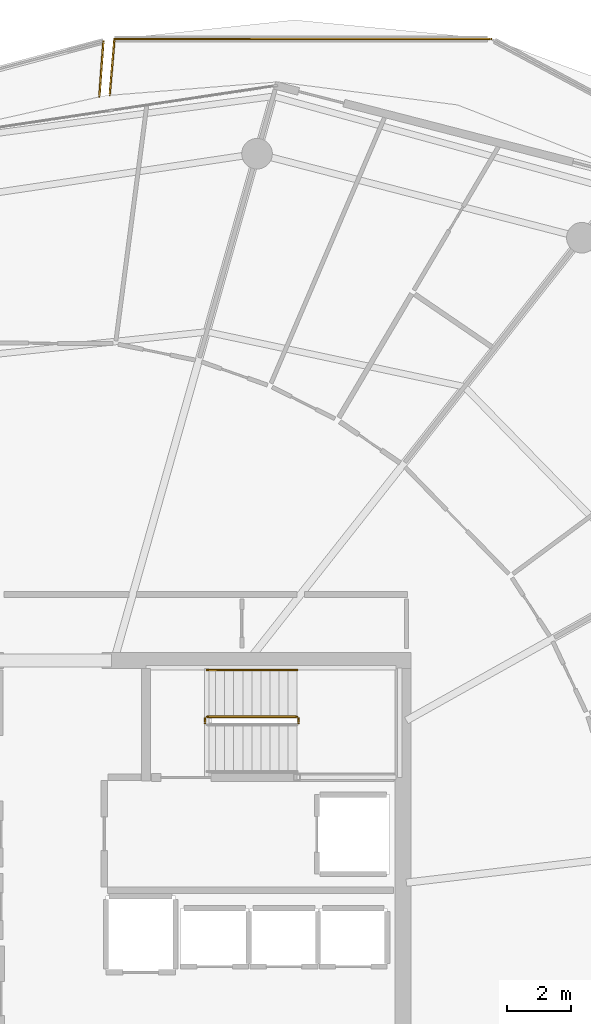
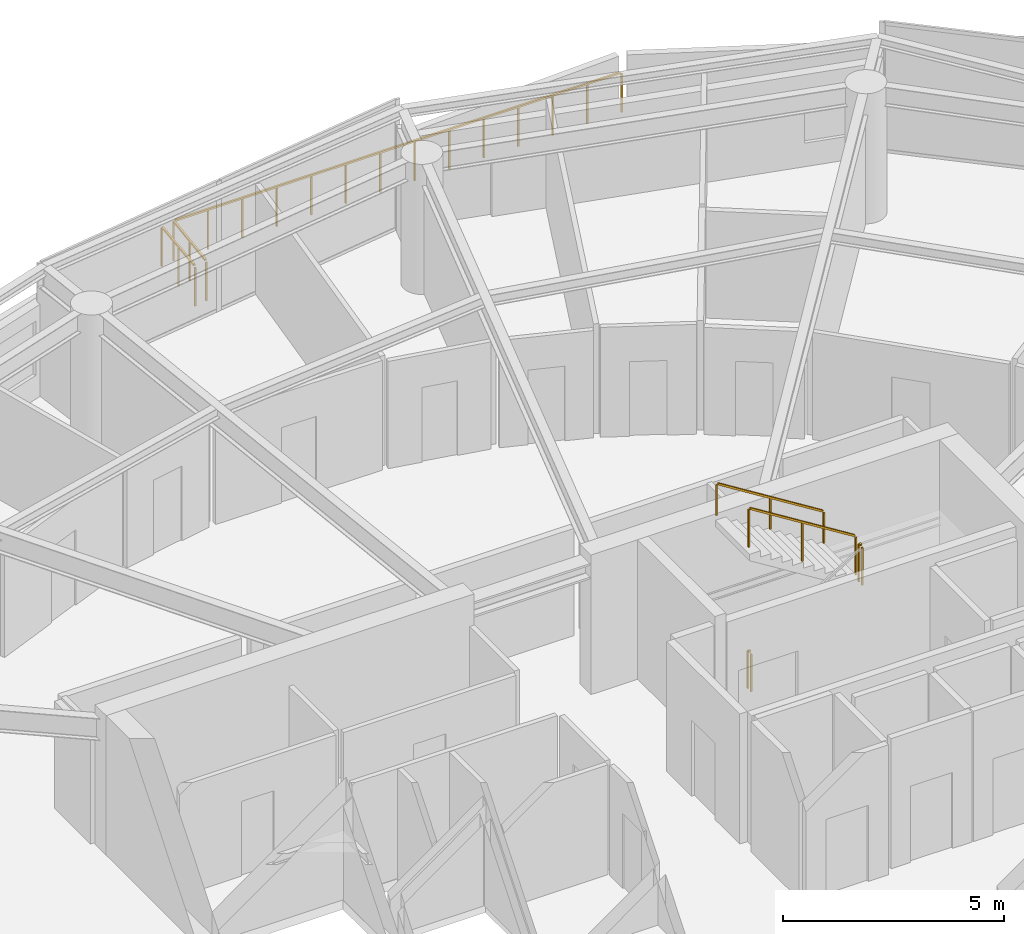
# One storey, part 29 of 30: 7 railings.
"""IFC4 building model written with IfcOpenShell, lengths in metres."""

import ifcopenshell
import ifcopenshell.guid

model = None  # the IFC model being written
_history = None  # IfcOwnerHistory: only IFC2X3 demands one
_inside = {}  # id of a spatial element -> (the spatial element, [elements in it])
_under = {}  # id of a project, library or spatial element -> (it, [spatial elements below it])
_declared = {}  # id of a project -> (the project, [libraries it declares])
_typed = {}  # id of a type object -> (the type object, [elements of that type])
_made_of = {}  # id of a material, layer set ... -> (it, [elements and type objects made of it])


def new_model(schema):
    """Start an empty IFC model of exactly this schema.

    Asked for "IFC4X3", IfcOpenShell would pick the latest addendum, in which some entities
    have other attributes; the version numbers below select the first issue.
    IFC2X3 requires an IfcOwnerHistory on every rooted entity: one is made here for all.
    """
    global model, _history
    if schema == "IFC4X3":
        model = ifcopenshell.file(schema_version=(4, 3, 0, 0))
    else:
        model = ifcopenshell.file(schema=schema)
    _inside.clear()
    _under.clear()
    _declared.clear()
    _typed.clear()
    _made_of.clear()
    _history = None
    if model.schema == "IFC2X3":
        org = make("IfcOrganization", Name="unknown")
        user = make(
            "IfcPersonAndOrganization",
            ThePerson=make("IfcPerson", FamilyName="unknown"),
            TheOrganization=org,
        )
        app = make(
            "IfcApplication",
            ApplicationDeveloper=org,
            Version="unknown",
            ApplicationFullName="unknown",
            ApplicationIdentifier="unknown",
        )
        _history = make(
            "IfcOwnerHistory",
            OwningUser=user,
            OwningApplication=app,
            ChangeAction="ADDED",
            CreationDate=0,
        )
    return model


def make(cls, **values):
    """One entity of the class cls with the attributes given. An attribute that is None is left unset."""
    return model.create_entity(
        cls, **{name: value for name, value in values.items() if value is not None}
    )


def rooted(cls, **values):
    """An entity with a GlobalId (a new one), such as an element, a storey or a relation."""
    return make(cls, GlobalId=ifcopenshell.guid.new(), OwnerHistory=_history, **values)


def si_unit(unit_type, name, prefix=None):
    """IfcSIUnit, for example si_unit("LENGTHUNIT", "METRE", prefix="MILLI")."""
    return make("IfcSIUnit", UnitType=unit_type, Prefix=prefix, Name=name)


def assignment(units):
    """IfcUnitAssignment: the units of a project."""
    return None if units is None else make("IfcUnitAssignment", Units=units)


def point(xyz):
    """IfcCartesianPoint."""
    return None if xyz is None else make("IfcCartesianPoint", Coordinates=xyz)


def direction(xyz):
    """IfcDirection."""
    return None if xyz is None else make("IfcDirection", DirectionRatios=xyz)


def frame(location, z_axis=None, x_axis=None):
    """IfcAxis2Placement3D, a coordinate frame: its origin and axes. An axis left out is left unset."""
    return make(
        "IfcAxis2Placement3D",
        Location=point(location),
        Axis=direction(z_axis),
        RefDirection=direction(x_axis),
    )


def frame_2d(location, x_axis=None):
    """IfcAxis2Placement2D, a coordinate frame in the plane: its origin and x axis."""
    return make(
        "IfcAxis2Placement2D", Location=point(location), RefDirection=direction(x_axis)
    )


def origin():
    """The frame at (0, 0, 0) with its axes left unset."""
    return frame((0.0, 0.0, 0.0))


def origin_2d():
    """The frame at (0, 0) in the plane with its x axis left unset."""
    return frame_2d((0.0, 0.0))


def place(relative_to, where):
    """IfcLocalPlacement: puts the frame where relative to a parent placement (None: the world)."""
    return make(
        "IfcLocalPlacement", PlacementRelTo=relative_to, RelativePlacement=where
    )


def context(
    kind, dimensions, precision=None, world=None, true_north=None, identifier=None
):
    """IfcGeometricRepresentationContext, for example the 3D "Model" context."""
    return make(
        "IfcGeometricRepresentationContext",
        ContextIdentifier=identifier,
        ContextType=kind,
        CoordinateSpaceDimension=dimensions,
        Precision=precision,
        WorldCoordinateSystem=world,
        TrueNorth=true_north,
    )


def subcontext(parent, identifier, kind, view, scale=None):
    """IfcGeometricRepresentationSubContext, for example "Body" below "Model"."""
    return make(
        "IfcGeometricRepresentationSubContext",
        ContextIdentifier=identifier,
        ContextType=kind,
        ParentContext=parent,
        TargetScale=scale,
        TargetView=view,
    )


def project(units=None, contexts=None):
    """IfcProject with its units and contexts."""
    return rooted(
        "IfcProject",
        Name="project",
        RepresentationContexts=contexts,
        UnitsInContext=assignment(units),
    )


def spatial(cls, under=None, at=None, **own):
    """A site, building, storey or space (cls), placed at a placement, below another one or the project."""
    s = rooted(cls, ObjectPlacement=at, **own)
    if under is not None:
        _under.setdefault(under.id(), (under, []))[1].append(s)
    return s


def profile(cls, at=None, kind="AREA", **sizes):
    """A parametric profile (cls). Its sizes go by their IFC names, for example OverallWidth=200.0."""
    return make(cls, ProfileType=kind, Position=at, **sizes)


def rectangle(**sizes):
    """IfcRectangleProfileDef."""
    return profile("IfcRectangleProfileDef", **sizes)


def extrude(swept, where, along, depth):
    """IfcExtrudedAreaSolid: the profile swept, set in the frame where, extruded along a direction by depth."""
    return make(
        "IfcExtrudedAreaSolid",
        SweptArea=swept,
        Position=where,
        ExtrudedDirection=direction(along),
        Depth=depth,
    )


def shape(context_of_items, identifier, shape_type, items):
    """IfcShapeRepresentation: the items that make up one representation, for example the "Body"."""
    return make(
        "IfcShapeRepresentation",
        ContextOfItems=context_of_items,
        RepresentationIdentifier=identifier,
        RepresentationType=shape_type,
        Items=items,
    )


def material(Name=None, Category=None):
    """IfcMaterial."""
    return make("IfcMaterial", Name=Name, Category=Category)


def made_of(thing, what):
    """Note that an element or type object is made of a material, layer set ...; save() writes the relation."""
    if what is not None:
        _made_of.setdefault(what.id(), (what, []))[1].append(thing)
    return thing


def type_object(cls, material=None, **own):
    """A type object (cls), such as IfcWallType, which elements share."""
    return made_of(rooted(cls, **own), material)


def element(
    cls,
    number,
    at=None,
    inside=None,
    cuts=None,
    type_object=None,
    material=None,
    context=None,
    identifier="Body",
    shape_type=None,
    held_by="IfcProductDefinitionShape",
    body=None,
    shapes=None,
    **own,
):
    """One element of the class cls, such as IfcWall. Its Tag is "e" and its number.

    at: its placement. inside: the storey or other place that contains it. cuts: it is an
    opening in that element (IfcRelVoidsElement). A single representation is given by context,
    identifier, shape_type and body (its items); several are given by shapes. held_by: the class
    of the entity that holds the representations. save() writes the other relations.
    """
    e = rooted(cls, Tag="e%d" % number, ObjectPlacement=at, **own)
    if body is not None:
        shapes = [shape(context, identifier, shape_type, body)]
    if shapes is not None:
        e.Representation = make(held_by, Representations=shapes)
    if inside is not None:
        _inside.setdefault(inside.id(), (inside, []))[1].append(e)
    if cuts is not None:
        rooted(
            "IfcRelVoidsElement", RelatingBuildingElement=cuts, RelatedOpeningElement=e
        )
    if type_object is not None:
        _typed.setdefault(type_object.id(), (type_object, []))[1].append(e)
    return made_of(e, material)


def aggregate(whole, parts):
    """IfcRelAggregates: a whole, such as a stair, and the parts it consists of."""
    return rooted("IfcRelAggregates", RelatingObject=whole, RelatedObjects=parts)


def save(model, path):
    """Write the relations noted so far, then the file.

    IfcRelAggregates (storeys below a building ...), IfcRelContainedInSpatialStructure (elements
    in a storey), IfcRelDefinesByType, IfcRelAssociatesMaterial and IfcRelDeclares: one each for
    every whole, place, type object, material and project.
    """
    for whole, parts in _under.values():
        aggregate(whole, parts)
    for where, things in _inside.values():
        rooted(
            "IfcRelContainedInSpatialStructure",
            RelatedElements=things,
            RelatingStructure=where,
        )
    for kind, things in _typed.values():
        rooted("IfcRelDefinesByType", RelatedObjects=things, RelatingType=kind)
    for what, things in _made_of.values():
        rooted("IfcRelAssociatesMaterial", RelatedObjects=things, RelatingMaterial=what)
    for by, libraries in _declared.values():
        rooted("IfcRelDeclares", RelatingContext=by, RelatedDefinitions=libraries)
    model.write(path)


model = new_model("IFC4")

# Units and contexts
model_context = context("Model", 3, precision=1e-05, world=origin(), true_north=direction((0.0, 1.0)))
body_context = subcontext(model_context, "Body", "Model", "MODEL_VIEW")
ifc_project = project(units=[si_unit("LENGTHUNIT", "METRE"), si_unit("AREAUNIT", "SQUARE_METRE"), si_unit("VOLUMEUNIT", "CUBIC_METRE"), si_unit("PLANEANGLEUNIT", "RADIAN"), si_unit("MASSUNIT", "GRAM", prefix="KILO")], contexts=[model_context])

# Site, building, storey
site_placement = place(None, origin())
site = spatial("IfcSite", under=ifc_project, at=site_placement, CompositionType="ELEMENT")
building_placement = place(site_placement, origin())
building = spatial("IfcBuilding", under=site, at=building_placement, Name="Kazma Halo Residences", CompositionType="ELEMENT")
storey_placement = place(building_placement, frame((0.0, 0.0, 294.449951171875)))
storey = spatial("IfcBuildingStorey", under=building, at=storey_placement, Name="L74", CompositionType="ELEMENT", Elevation=294.449951171875)

# Railings
ifc_material_1 = material(Name="Aluminium AW-6063 T6 Brushed Cap Rail", Category="aluminium")
railing_type_1 = type_object("IfcRailingType", Name="RLG-BAL-CAP-1120", PredefinedType="BALUSTRADE", material=ifc_material_1)
railing_1_placement = place(storey_placement, frame((62.033447265625, 69.5419921875, 0.0)))
element("IfcRailing", 1, at=railing_1_placement, inside=storey, type_object=railing_type_1, Name="L74 NE wave balcony guard 3", PredefinedType="BALUSTRADE", context=body_context, shape_type="SweptSolid", body=[
    extrude(rectangle(XDim=0.050048828125, YDim=0.050048828125, at=origin_2d()), frame((-0.04248046875, 0.0, 1.09521484375), z_axis=(-0.999999921363, -0.000396576884, 0.0), x_axis=(0.000396576884, -0.999999921363, 0.0)), (0.0, 0.0, 1.0), 11.61181640625),
    extrude(rectangle(XDim=0.0400390625, YDim=0.0400390625, at=origin_2d()), origin(), (0.0, 0.0, 1.0), 1.05810546875),
    extrude(rectangle(XDim=0.0400390625, YDim=0.0400390625, at=origin_2d()), frame((-0.899658203125, -0.000244140625, 0.0)), (0.0, 0.0, 1.0), 1.05810546875),
    extrude(rectangle(XDim=0.0400390625, YDim=0.0400390625, at=origin_2d()), frame((-1.799560546875, -0.000732421875, 0.0)), (0.0, 0.0, 1.0), 1.05810546875),
    extrude(rectangle(XDim=0.0400390625, YDim=0.0400390625, at=origin_2d()), frame((-2.69921875, -0.0009765625, 0.0)), (0.0, 0.0, 1.0), 1.05810546875),
    extrude(rectangle(XDim=0.0400390625, YDim=0.0400390625, at=origin_2d()), frame((-3.59912109375, -0.00146484375, 0.0)), (0.0, 0.0, 1.0), 1.05810546875),
    extrude(rectangle(XDim=0.0400390625, YDim=0.0400390625, at=origin_2d()), frame((-4.498779296875, -0.001708984375, 0.0)), (0.0, 0.0, 1.0), 1.05810546875),
    extrude(rectangle(XDim=0.0400390625, YDim=0.0400390625, at=origin_2d()), frame((-5.3984375, -0.002197265625, 0.0)), (0.0, 0.0, 1.0), 1.05810546875),
    extrude(rectangle(XDim=0.0400390625, YDim=0.0400390625, at=origin_2d()), frame((-6.29833984375, -0.00244140625, 0.0)), (0.0, 0.0, 1.0), 1.05810546875),
    extrude(rectangle(XDim=0.0400390625, YDim=0.0400390625, at=origin_2d()), frame((-7.197998046875, -0.0029296875, 0.0)), (0.0, 0.0, 1.0), 1.05810546875),
    extrude(rectangle(XDim=0.0400390625, YDim=0.0400390625, at=origin_2d()), frame((-8.09765625, -0.003173828125, 0.0)), (0.0, 0.0, 1.0), 1.05810546875),
    extrude(rectangle(XDim=0.0400390625, YDim=0.0400390625, at=origin_2d()), frame((-8.99755859375, -0.003662109375, 0.0)), (0.0, 0.0, 1.0), 1.05810546875),
    extrude(rectangle(XDim=0.0400390625, YDim=0.0400390625, at=origin_2d()), frame((-9.897216796875, -0.00390625, 0.0)), (0.0, 0.0, 1.0), 1.05810546875),
    extrude(rectangle(XDim=0.0400390625, YDim=0.0400390625, at=origin_2d()), frame((-10.797119140625, -0.00439453125, 0.0)), (0.0, 0.0, 1.0), 1.05810546875),
    extrude(rectangle(XDim=0.0400390625, YDim=0.0400390625, at=origin_2d()), frame((-11.69677734375, -0.004638671875, 0.0)), (0.0, 0.0, 1.0), 1.05810546875),
])
railing_2_placement = place(storey_placement, frame((50.336669921875, 69.537353515625, 0.0)))
element("IfcRailing", 2, at=railing_2_placement, inside=storey, type_object=railing_type_1, Name="L74 NE wave balcony guard 4", PredefinedType="BALUSTRADE", context=body_context, shape_type="SweptSolid", body=[
    extrude(rectangle(XDim=0.050048828125, YDim=0.050048828125, at=origin_2d()), frame((-0.003662109375, -0.04248046875, 1.09521484375), z_axis=(-0.084569892868, -0.996417549635, 0.0), x_axis=(0.996417549635, -0.084569892868, 0.0)), (0.0, 0.0, 1.0), 1.664306640625),
    extrude(rectangle(XDim=0.0400390625, YDim=0.0400390625, at=origin_2d()), origin(), (0.0, 0.0, 1.0), 1.05810546875),
    extrude(rectangle(XDim=0.0400390625, YDim=0.0400390625, at=origin_2d()), frame((-0.073974609375, -0.87158203125, 0.0)), (0.0, 0.0, 1.0), 1.05810546875),
    extrude(rectangle(XDim=0.0400390625, YDim=0.0400390625, at=origin_2d()), frame((-0.14794921875, -1.7431640625, 0.0)), (0.0, 0.0, 1.0), 1.05810546875),
])
railing_3_placement = place(storey_placement, frame((49.8681640625, 67.74609375, 0.0)))
element("IfcRailing", 3, at=railing_3_placement, inside=storey, type_object=railing_type_1, Name="L74 NNW wave balcony guard 1", PredefinedType="BALUSTRADE", context=body_context, shape_type="SweptSolid", body=[
    extrude(rectangle(XDim=0.050048828125, YDim=0.050048828125, at=origin_2d()), frame((0.003173828125, 0.04248046875, 1.09521484375), z_axis=(0.072349491269, 0.997379341631, 0.0), x_axis=(-0.997379341631, 0.072349491269, 0.0)), (0.0, 0.0, 1.0), 1.64599609375),
    extrude(rectangle(XDim=0.0400390625, YDim=0.0400390625, at=origin_2d()), origin(), (0.0, 0.0, 1.0), 1.05810546875),
    extrude(rectangle(XDim=0.0400390625, YDim=0.0400390625, at=origin_2d()), frame((0.0625, 0.86328125, 0.0)), (0.0, 0.0, 1.0), 1.05810546875),
    extrude(rectangle(XDim=0.0400390625, YDim=0.0400390625, at=origin_2d()), frame((0.125244140625, 1.7265625, 0.0)), (0.0, 0.0, 1.0), 1.05810546875),
])
ifc_material_2 = material(Name="Painted Steel S355", Category="steel")
railing_type_2 = type_object("IfcRailingType", Name="RLG-STAIR-GRD-1100", PredefinedType="GUARDRAIL", material=ifc_material_2)
railing_4_placement = place(storey_placement, frame((56.050048828125, 48.300048828125, 1.925048828125)))
element("IfcRailing", 4, at=railing_4_placement, inside=storey, type_object=railing_type_2, Name="L74 ST-02 stair guard 2", PredefinedType="GUARDRAIL", context=body_context, shape_type="SweptSolid", body=[
    extrude(rectangle(XDim=0.050048828125, YDim=0.050048828125, at=origin_2d()), frame((0.0, 0.04248046875, 1.0751953125), z_axis=(0.0, 1.0, 0.0), x_axis=(-1.0, 0.0, 0.0)), (0.0, 0.0, 1.0), 0.06494140625),
    extrude(rectangle(XDim=0.0400390625, YDim=0.0400390625, at=origin_2d()), origin(), (0.0, 0.0, 1.0), 1.0380859375),
    extrude(rectangle(XDim=0.0400390625, YDim=0.0400390625, at=origin_2d()), frame((0.0, 0.14990234375, 0.0)), (0.0, 0.0, 1.0), 1.0380859375),
])
railing_5_placement = place(storey_placement, frame((56.0, 48.5, 2.10009765625)))
element("IfcRailing", 5, at=railing_5_placement, inside=storey, type_object=railing_type_2, Name="L74 ST-02 stair guard 3", PredefinedType="GUARDRAIL", context=body_context, shape_type="SweptSolid", body=[
    extrude(rectangle(XDim=0.050048828125, YDim=0.050048828125, at=origin_2d()), frame((-0.0361328125, 0.0, 1.09765625), z_axis=(-0.848002457836, 0.0, 0.529992293815), x_axis=(0.0, -1.0, 0.0)), (0.0, 0.0, 1.0), 3.216796875),
    extrude(rectangle(XDim=0.0400390625, YDim=0.0400390625, at=origin_2d()), origin(), (0.0, 0.0, 1.0), 1.0380859375),
    extrude(rectangle(XDim=0.0400390625, YDim=0.0400390625, at=origin_2d()), frame((-1.39990234375, 0.0, 0.875)), (0.0, 0.0, 1.0), 1.0380859375),
    extrude(rectangle(XDim=0.0400390625, YDim=0.0400390625, at=origin_2d()), frame((-2.800048828125, 0.0, 1.75)), (0.0, 0.0, 1.0), 1.0380859375),
])
railing_6_placement = place(storey_placement, frame((53.14990234375, 48.300048828125, 0.0)))
element("IfcRailing", 6, at=railing_6_placement, inside=storey, type_object=railing_type_2, Name="L74 ST-02 stair guard 4", PredefinedType="GUARDRAIL", context=body_context, shape_type="SweptSolid", body=[
    extrude(rectangle(XDim=0.050048828125, YDim=0.050048828125, at=origin_2d()), frame((0.0, 0.04248046875, 1.0751953125), z_axis=(0.0, 1.0, 0.0), x_axis=(-1.0, 0.0, 0.0)), (0.0, 0.0, 1.0), 0.06494140625),
    extrude(rectangle(XDim=0.0400390625, YDim=0.0400390625, at=origin_2d()), origin(), (0.0, 0.0, 1.0), 1.0380859375),
    extrude(rectangle(XDim=0.0400390625, YDim=0.0400390625, at=origin_2d()), frame((0.0, 0.14990234375, 0.0)), (0.0, 0.0, 1.0), 1.0380859375),
])
ifc_material_3 = material(Name="Brushed Stainless Steel", Category="steel")
railing_type_3 = type_object("IfcRailingType", Name="RLG-STAIR-HND-900", PredefinedType="HANDRAIL", material=ifc_material_3)
railing_7_placement = place(storey_placement, frame((56.0, 49.949951171875, 2.10009765625)))
element("IfcRailing", 7, at=railing_7_placement, inside=storey, type_object=railing_type_3, Name="L74 ST-02 stair handrail 2", PredefinedType="HANDRAIL", context=body_context, shape_type="SweptSolid", body=[
    extrude(rectangle(XDim=0.050048828125, YDim=0.050048828125, at=origin_2d()), frame((-0.0361328125, 0.0, 0.8974609375), z_axis=(-0.848002457836, 0.0, 0.529992293815), x_axis=(0.0, -1.0, 0.0)), (0.0, 0.0, 1.0), 3.216796875),
    extrude(rectangle(XDim=0.0400390625, YDim=0.0400390625, at=origin_2d()), origin(), (0.0, 0.0, 1.0), 0.837890625),
    extrude(rectangle(XDim=0.0400390625, YDim=0.0400390625, at=origin_2d()), frame((-1.39990234375, 0.0, 0.875)), (0.0, 0.0, 1.0), 0.837890625),
    extrude(rectangle(XDim=0.0400390625, YDim=0.0400390625, at=origin_2d()), frame((-2.800048828125, 0.0, 1.75)), (0.0, 0.0, 1.0), 0.837890625),
])

save(model, "model.ifc")
